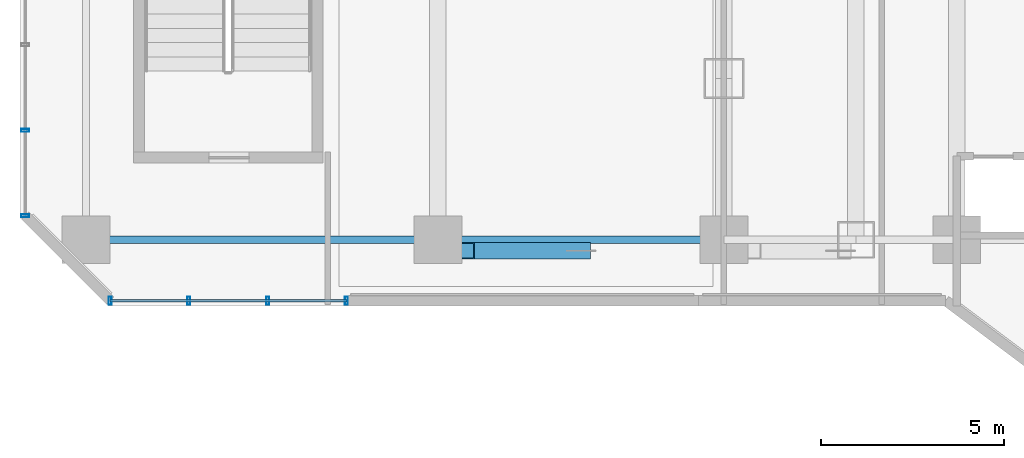
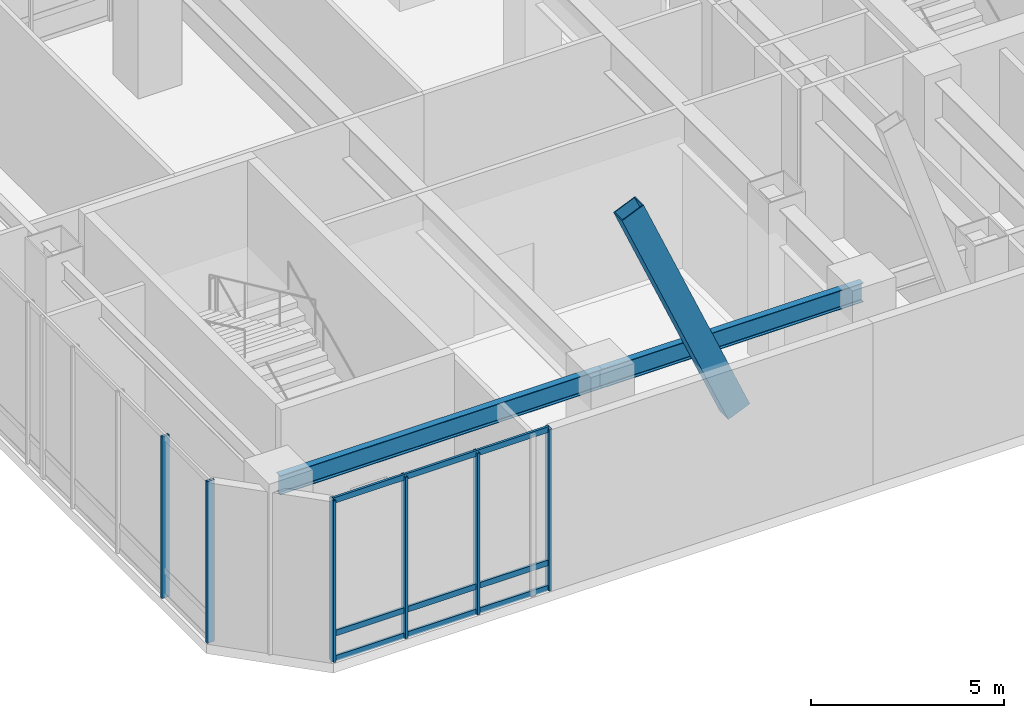
# One storey, part 2 of 35: 10 members, 2 beams, 2 elements without a shape of their own.
"""IFC4 building model written with IfcOpenShell, lengths in metres."""

from ifc_helpers import new_model, si_unit, direction, frame, origin, origin_2d, place, context, subcontext, project, spatial, hollow_rectangle, i_section, extrude, material, layer, layer_set, material_profile, profile_set, type_object, element, aggregate, save


model = new_model("IFC4")

# Units and contexts
model_context = context("Model", 3, precision=1e-05, world=origin(), true_north=direction((0.0, 1.0)))
body_context = subcontext(model_context, "Body", "Model", "MODEL_VIEW")
ifc_project = project(units=[si_unit("LENGTHUNIT", "METRE"), si_unit("AREAUNIT", "SQUARE_METRE"), si_unit("VOLUMEUNIT", "CUBIC_METRE"), si_unit("PLANEANGLEUNIT", "RADIAN"), si_unit("MASSUNIT", "GRAM", prefix="KILO")], contexts=[model_context])

# Site, building, storey
site_placement = place(None, origin())
site = spatial("IfcSite", under=ifc_project, at=site_placement, CompositionType="ELEMENT")
building_placement = place(site_placement, origin())
building = spatial("IfcBuilding", under=site, at=building_placement, Name="Hatsunagi Terrace Concourse", CompositionType="ELEMENT")
storey_placement = place(building_placement, frame((0.0, 0.0, 10.800048828125)))
storey = spatial("IfcBuildingStorey", under=building, at=storey_placement, Name="L03", CompositionType="ELEMENT", Elevation=10.800048828125)

# Curtain wall, members
ifc_material_1 = material(Name="Anodised Aluminium Alloy 6063-T5", Category="aluminium")
ifc_layer = layer(ifc_material_1, 0.199951171875)
ifc_layer_set = layer_set([ifc_layer], Name="PodiumStorefront_CW01")
curtain_wall_type = type_object("IfcCurtainWallType", Name="PodiumStorefront_CW01", PredefinedType="NOTDEFINED", material=ifc_layer_set)
curtain_wall_1_placement = place(storey_placement, origin())
curtain_wall_1 = element("IfcCurtainWall", 1, at=curtain_wall_1_placement, inside=storey, type_object=curtain_wall_type, Name="Unitised Curtain Wall CW-01 CW-L03-08", PredefinedType="NOTDEFINED")
ifc_material_2 = material(Name="Anodised Aluminium Alloy 6063-T5", Category="aluminium")
ifc_material_profile_1 = material_profile(ifc_material_2, hollow_rectangle(XDim=0.080078125, YDim=0.219970703125, WallThickness=0.0048828125, at=origin_2d()), Name="ALU-MUL-220x80x5")
ifc_profile_set_1 = profile_set([ifc_material_profile_1], Name="Anodised Aluminium Alloy 6063-T5")
member_type_1 = type_object("IfcMemberType", Name="CurtainWallMullion_Heavy_220x80", PredefinedType="MULLION", material=ifc_profile_set_1)
member_1_placement = place(storey_placement, frame((8.89990234375, 23.5400390625, 0.0), z_axis=(0.0, 0.0, 1.0), x_axis=(-1.0, 0.0, 0.0)))
member_1 = element("IfcMember", 2, at=member_1_placement, type_object=member_type_1, Name="Curtain Wall Mullion MUL-01", PredefinedType="MULLION", context=body_context, shape_type="SweptSolid", body=[
    extrude(hollow_rectangle(XDim=0.080078125, YDim=0.219970703125, WallThickness=0.0048828125, at=origin_2d()), origin(), (0.0, 0.0, 1.0), 5.099853515625),
])
member_2_placement = place(storey_placement, frame((6.7529296875, 23.5400390625, 0.0), z_axis=(0.0, 0.0, 1.0), x_axis=(-1.0, 0.0, 0.0)))
member_2 = element("IfcMember", 3, at=member_2_placement, type_object=member_type_1, Name="Curtain Wall Mullion MUL-01", PredefinedType="MULLION", context=body_context, shape_type="SweptSolid", body=[
    extrude(hollow_rectangle(XDim=0.080078125, YDim=0.219970703125, WallThickness=0.0048828125, at=origin_2d()), origin(), (0.0, 0.0, 1.0), 5.099853515625),
])
member_3_placement = place(storey_placement, frame((4.60498046875, 23.5400390625, 0.0), z_axis=(0.0, 0.0, 1.0), x_axis=(-1.0, 0.0, 0.0)))
member_3 = element("IfcMember", 4, at=member_3_placement, type_object=member_type_1, Name="Curtain Wall Mullion MUL-01", PredefinedType="MULLION", context=body_context, shape_type="SweptSolid", body=[
    extrude(hollow_rectangle(XDim=0.080078125, YDim=0.219970703125, WallThickness=0.0048828125, at=origin_2d()), origin(), (0.0, 0.0, 1.0), 5.099853515625),
])
member_4_placement = place(storey_placement, frame((2.4580078125, 23.5400390625, 0.0), z_axis=(0.0, 0.0, 1.0), x_axis=(-1.0, 0.0, 0.0)))
member_4 = element("IfcMember", 5, at=member_4_placement, type_object=member_type_1, Name="Curtain Wall Mullion MUL-01", PredefinedType="MULLION", context=body_context, shape_type="SweptSolid", body=[
    extrude(hollow_rectangle(XDim=0.080078125, YDim=0.219970703125, WallThickness=0.0048828125, at=origin_2d()), origin(), (0.0, 0.0, 1.0), 5.099853515625),
])

curtain_wall_2_placement = place(storey_placement, origin())
curtain_wall_2 = element("IfcCurtainWall", 6, at=curtain_wall_2_placement, inside=storey, type_object=curtain_wall_type, Name="Unitised Curtain Wall CW-01 CW-L03-10", PredefinedType="NOTDEFINED")
member_5_placement = place(storey_placement, frame((0.139892578125, 25.85791015625, 0.0), z_axis=(0.0, 0.0, 1.0), x_axis=(0.0, 1.0, 0.0)))
member_5 = element("IfcMember", 7, at=member_5_placement, type_object=member_type_1, Name="Curtain Wall Mullion MUL-01", PredefinedType="MULLION", context=body_context, shape_type="SweptSolid", body=[
    extrude(hollow_rectangle(XDim=0.080078125, YDim=0.219970703125, WallThickness=0.0048828125, at=origin_2d()), origin(), (0.0, 0.0, 1.0), 5.099853515625),
])
member_6_placement = place(storey_placement, frame((0.139892578125, 28.18603515625, 0.0), z_axis=(0.0, 0.0, 1.0), x_axis=(0.0, 1.0, 0.0)))
member_6 = element("IfcMember", 8, at=member_6_placement, type_object=member_type_1, Name="Curtain Wall Mullion MUL-01", PredefinedType="MULLION", context=body_context, shape_type="SweptSolid", body=[
    extrude(hollow_rectangle(XDim=0.080078125, YDim=0.219970703125, WallThickness=0.0048828125, at=origin_2d()), origin(), (0.0, 0.0, 1.0), 5.099853515625),
])
aggregate(curtain_wall_2, [member_5, member_6])

# Member
ifc_material_3 = material(Name="Anodised Aluminium Alloy 6063-T5", Category="aluminium")
ifc_material_profile_2 = material_profile(ifc_material_3, hollow_rectangle(XDim=0.070068359375, YDim=0.179931640625, WallThickness=0.00390625, at=origin_2d()), Name="ALU-TRN-180x70x4")
ifc_profile_set_2 = profile_set([ifc_material_profile_2], Name="Anodised Aluminium Alloy 6063-T5")
member_type_2 = type_object("IfcMemberType", Name="CurtainWallTransom_Heavy_180x70", PredefinedType="USERDEFINED", material=ifc_profile_set_2)
member_7_placement = place(storey_placement, frame((8.89990234375, 23.5400390625, 0.050048828125), z_axis=(-1.0, 0.0, 0.0), x_axis=(0.0, -1.0, 0.0)))
member_7 = element("IfcMember", 9, at=member_7_placement, type_object=member_type_2, Name="Curtain Wall Transom TRN-01", ObjectType="TRANSOM", PredefinedType="USERDEFINED", context=body_context, shape_type="SweptSolid", body=[
    extrude(hollow_rectangle(XDim=0.070068359375, YDim=0.179931640625, WallThickness=0.00390625, at=origin_2d()), origin(), (0.0, 0.0, 1.0), 6.44189453125),
])

member_8_placement = place(storey_placement, frame((8.89990234375, 23.5400390625, 0.849853515625), z_axis=(-1.0, 0.0, 0.0), x_axis=(0.0, -1.0, 0.0)))
member_8 = element("IfcMember", 10, at=member_8_placement, type_object=member_type_2, Name="Curtain Wall Transom TRN-01", ObjectType="TRANSOM", PredefinedType="USERDEFINED", context=body_context, shape_type="SweptSolid", body=[
    extrude(hollow_rectangle(XDim=0.070068359375, YDim=0.179931640625, WallThickness=0.00390625, at=origin_2d()), origin(), (0.0, 0.0, 1.0), 6.44189453125),
])

member_9_placement = place(storey_placement, frame((8.89990234375, 23.5400390625, 5.050048828125), z_axis=(-1.0, 0.0, 0.0), x_axis=(0.0, -1.0, 0.0)))
member_9 = element("IfcMember", 11, at=member_9_placement, type_object=member_type_2, Name="Curtain Wall Transom TRN-01", ObjectType="TRANSOM", PredefinedType="USERDEFINED", context=body_context, shape_type="SweptSolid", body=[
    extrude(hollow_rectangle(XDim=0.070068359375, YDim=0.179931640625, WallThickness=0.00390625, at=origin_2d()), origin(), (0.0, 0.0, 1.0), 6.44189453125),
])

aggregate(curtain_wall_1, [member_1, member_2, member_3, member_4, member_7, member_8, member_9])

# Beams
ifc_material_4 = material(Name="Steel SN490B", Category="steel")
ifc_material_profile_3 = material_profile(ifc_material_4, i_section(OverallWidth=0.199951171875, OverallDepth=0.60009765625, WebThickness=0.010986328125, FlangeThickness=0.01708984375, FilletRadius=0.01806640625, at=origin_2d()), Name="H-600x200x11x17")
ifc_profile_set_3 = profile_set([ifc_material_profile_3], Name="Steel SN490B")
beam_type = type_object("IfcBeamType", Name="PerimeterSpandrel_H_600x200", PredefinedType="SPANDREL", material=ifc_profile_set_3)
beam_1_placement = place(storey_placement, frame((1.800048828125, 25.199951171875, 4.800048828125), z_axis=(1.0, 0.0, 0.0), x_axis=(0.0, 1.0, 0.0)))
element("IfcBeam", 12, at=beam_1_placement, inside=storey, type_object=beam_type, Name="Beam SP-01 BM-L03-WS-1", PredefinedType="SPANDREL", context=body_context, shape_type="SweptSolid", body=[
    extrude(i_section(OverallWidth=0.199951171875, OverallDepth=0.60009765625, WebThickness=0.010986328125, FlangeThickness=0.01708984375, FilletRadius=0.01806640625, at=origin_2d()), origin(), (0.0, 0.0, 1.0), 9.599853515625),
])
beam_2_placement = place(storey_placement, frame((11.39990234375, 25.199951171875, 4.800048828125), z_axis=(1.0, 0.0, 0.0), x_axis=(0.0, 1.0, 0.0)))
element("IfcBeam", 13, at=beam_2_placement, inside=storey, type_object=beam_type, Name="Beam SP-01 BM-L03-WS-11", PredefinedType="SPANDREL", context=body_context, shape_type="SweptSolid", body=[
    extrude(i_section(OverallWidth=0.199951171875, OverallDepth=0.60009765625, WebThickness=0.010986328125, FlangeThickness=0.01708984375, FilletRadius=0.01806640625, at=origin_2d()), origin(), (0.0, 0.0, 1.0), 7.800048828125),
])

# Member
ifc_material_5 = material(Name="Steel SN490B", Category="steel")
ifc_material_profile_4 = material_profile(ifc_material_5, hollow_rectangle(XDim=0.449951171875, YDim=0.699951171875, WallThickness=0.028076171875, at=origin_2d()), Name="RHS-700x450x28")
ifc_profile_set_4 = profile_set([ifc_material_profile_4], Name="Steel SN490B")
member_type_3 = type_object("IfcMemberType", Name="PerimeterXBrace_Lower_RHS_700x450x28", PredefinedType="BRACE", material=ifc_profile_set_4)
member_10_placement = place(storey_placement, frame((12.074951171875, 24.89990234375, 10.06005859375), z_axis=(0.394638102407, 0.0, -0.918836638434), x_axis=(0.0, 1.0, 0.0)))
element("IfcMember", 14, at=member_10_placement, inside=storey, type_object=member_type_3, Name="Perimeter X-Brace Split Upper XB-01 XB-L02-W2B1", PredefinedType="BRACE", context=body_context, shape_type="SweptSolid", body=[
    extrude(hollow_rectangle(XDim=0.449951171875, YDim=0.699951171875, WallThickness=0.028076171875, at=origin_2d()), origin(), (0.0, 0.0, 1.0), 8.033203125),
])

save(model, "model.ifc")
